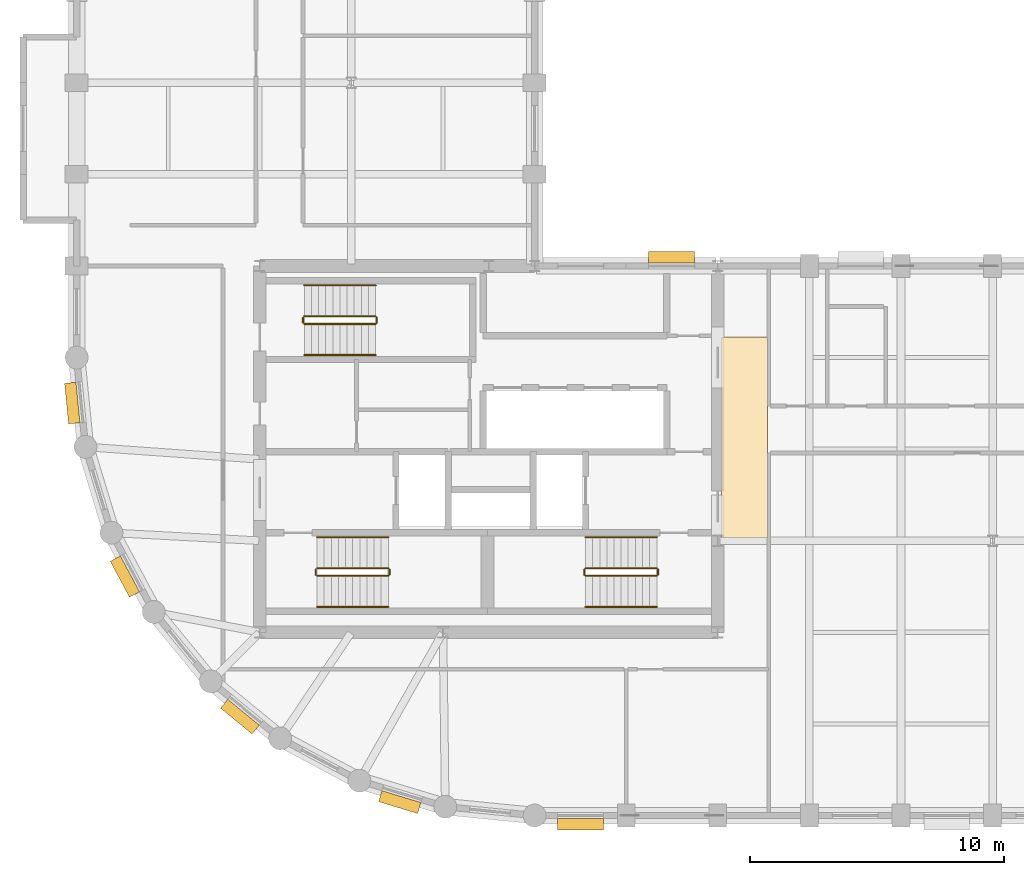
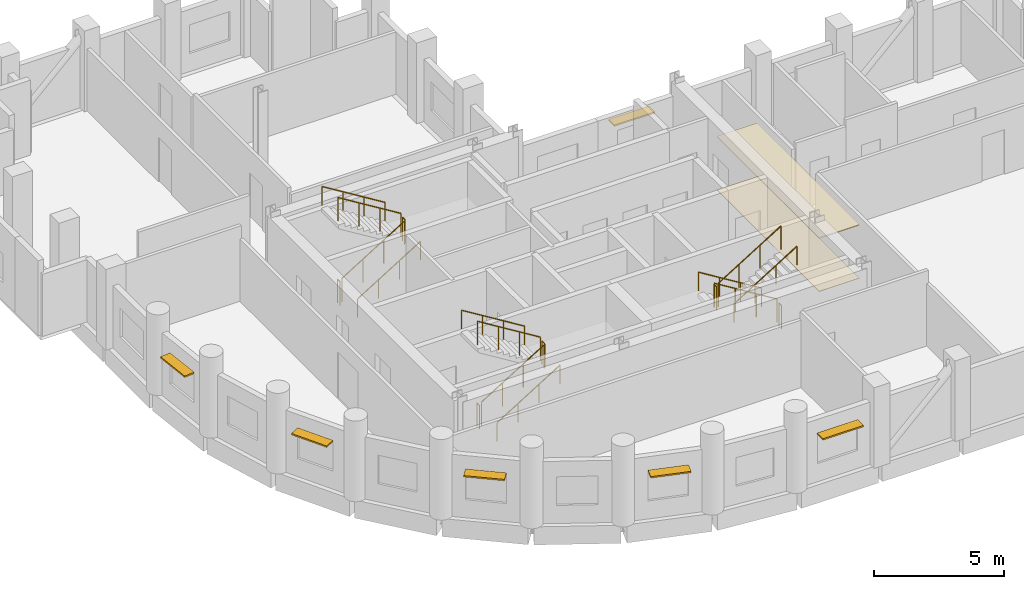
# One storey, part 7 of 8: 18 railings, 6 shading devices, 2 coverings.
"""IFC4 building model written with IfcOpenShell, lengths in metres."""

from ifc_helpers import new_model, si_unit, direction, frame, origin, origin_2d, place, context, subcontext, project, spatial, polyline, rectangle, circle, outline, extrude, material, layer, layer_set, type_object, element, save


model = new_model("IFC4")

# Units and contexts
model_context = context("Model", 3, precision=1e-05, world=origin(), true_north=direction((0.0, 1.0)))
body_context = subcontext(model_context, "Body", "Model", "MODEL_VIEW")
ifc_project = project(units=[si_unit("LENGTHUNIT", "METRE"), si_unit("AREAUNIT", "SQUARE_METRE"), si_unit("VOLUMEUNIT", "CUBIC_METRE"), si_unit("PLANEANGLEUNIT", "RADIAN"), si_unit("MASSUNIT", "GRAM", prefix="KILO")], contexts=[model_context])

# Site, building, storey
site_placement = place(None, origin())
site = spatial("IfcSite", under=ifc_project, at=site_placement, CompositionType="ELEMENT")
building_placement = place(site_placement, origin())
building = spatial("IfcBuilding", under=site, at=building_placement, Name="Solnavia Interchange Tower", CompositionType="ELEMENT")
storey_placement = place(building_placement, frame((0.0, 0.0, 190.0)))
storey = spatial("IfcBuildingStorey", under=building, at=storey_placement, Name="L47", CompositionType="ELEMENT", Elevation=190.0)

# Coverings
ifc_material_1 = material(Name="Perforated Mineral-Fibre & Gypsum Ceiling", Category="gypsum")
ifc_layer_1 = layer(ifc_material_1, 0.0400390625)
ifc_layer_set_1 = layer_set([ifc_layer_1], Name="Perforated Mineral-Fibre & Gypsum Ceiling")
covering_type_1 = type_object("IfcCoveringType", Name="Covering-Ceiling-Acoustic40", PredefinedType="CEILING", material=ifc_layer_set_1)
covering_1_placement = place(storey_placement, frame((0.0, 0.0, 2.5)))
element("IfcCovering", 1, at=covering_1_placement, inside=storey, type_object=covering_type_1, Name="CLG-L47-01 Circulation suspended acoustic ceiling", PredefinedType="CEILING", context=body_context, shape_type="SweptSolid", body=[
    extrude(outline(polyline([(32.550048828125, 14.5), (34.35009765625, 14.5), (34.35009765625, 22.39990234375), (32.550048828125, 22.39990234375), (32.550048828125, 14.5)])), origin(), (0.0, 0.0, 1.0), 0.0400390625),
])
ifc_material_2 = material(Name="Engineered European Oak Flooring", Category="wood")
ifc_layer_2 = layer(ifc_material_2, 0.02001953125)
ifc_layer_set_2 = layer_set([ifc_layer_2], Name="Engineered European Oak Flooring")
covering_type_2 = type_object("IfcCoveringType", Name="Covering-Flooring-Timber20", PredefinedType="FLOORING", material=ifc_layer_set_2)
covering_2_placement = place(storey_placement, origin())
element("IfcCovering", 2, at=covering_2_placement, inside=storey, type_object=covering_type_2, Name="FLR-L47-01 Circulation floor finish", PredefinedType="FLOORING", context=body_context, shape_type="SweptSolid", body=[
    extrude(outline(polyline([(32.550048828125, 14.5), (34.35009765625, 14.5), (34.35009765625, 22.39990234375), (32.550048828125, 22.39990234375), (32.550048828125, 14.5)])), origin(), (0.0, 0.0, 1.0), 0.02001953125),
])

# Railings
ifc_material_3 = material(Name="Painted Steel Balustrade", Category="steel")
railing_type_1 = type_object("IfcRailingType", Name="Railing-StairGuard-1100", PredefinedType="GUARDRAIL", material=ifc_material_3)
railing_1_placement = place(storey_placement, frame((16.64990234375, 13.02001953125, 0.172607421875)))
element("IfcRailing", 3, at=railing_1_placement, inside=storey, type_object=railing_type_1, Name="L47 ST-1 stair guard 1", PredefinedType="GUARDRAIL", context=body_context, shape_type="SweptSolid", body=[
    extrude(circle(Radius=0.02392578125, at=origin_2d()), frame((0.0, 0.0, 1.09619140625), z_axis=(0.851089632645, 0.0, 0.525020415988), x_axis=(0.0, 1.0, 0.0)), (0.0, 0.0, 1.0), 3.2900390625),
    extrude(circle(Radius=0.02099609375, at=origin_2d()), origin(), (0.0, 0.0, 1.0), 1.072021484375),
    extrude(circle(Radius=0.02099609375, at=origin_2d()), frame((0.933349609375, 0.0, 0.57568359375)), (0.0, 0.0, 1.0), 1.072021484375),
    extrude(circle(Radius=0.02099609375, at=origin_2d()), frame((1.86669921875, 0.0, 1.151611328125)), (0.0, 0.0, 1.0), 1.072021484375),
    extrude(circle(Radius=0.02099609375, at=origin_2d()), frame((2.800048828125, 0.0, 1.727294921875)), (0.0, 0.0, 1.0), 1.072021484375),
])
railing_2_placement = place(storey_placement, frame((19.5, 13.070068359375, 1.89990234375)))
element("IfcRailing", 4, at=railing_2_placement, inside=storey, type_object=railing_type_1, Name="L47 ST-1 stair guard 2", PredefinedType="GUARDRAIL", context=body_context, shape_type="SweptSolid", body=[
    extrude(circle(Radius=0.02392578125, at=origin_2d()), frame((0.0, 0.0, 1.09619140625), z_axis=(0.0, 1.0, 0.0), x_axis=(-1.0, 0.0, 0.0)), (0.0, 0.0, 1.0), 0.199951171875),
    extrude(circle(Radius=0.02099609375, at=origin_2d()), origin(), (0.0, 0.0, 1.0), 1.072021484375),
    extrude(circle(Radius=0.02099609375, at=origin_2d()), frame((0.0, 0.199951171875, 0.0)), (0.0, 0.0, 1.0), 1.072021484375),
])
railing_3_placement = place(storey_placement, frame((19.449951171875, 13.320068359375, 2.07275390625)))
element("IfcRailing", 5, at=railing_3_placement, inside=storey, type_object=railing_type_1, Name="L47 ST-1 stair guard 3", PredefinedType="GUARDRAIL", context=body_context, shape_type="SweptSolid", body=[
    extrude(circle(Radius=0.02392578125, at=origin_2d()), frame((0.0, 0.0, 1.09619140625), z_axis=(-0.851089632645, 0.0, 0.525020415988), x_axis=(0.0, -1.0, 0.0)), (0.0, 0.0, 1.0), 3.2900390625),
    extrude(circle(Radius=0.02099609375, at=origin_2d()), origin(), (0.0, 0.0, 1.0), 1.072021484375),
    extrude(circle(Radius=0.02099609375, at=origin_2d()), frame((-0.933349609375, 0.0, 0.57568359375)), (0.0, 0.0, 1.0), 1.072021484375),
    extrude(circle(Radius=0.02099609375, at=origin_2d()), frame((-1.86669921875, 0.0, 1.151611328125)), (0.0, 0.0, 1.0), 1.072021484375),
    extrude(circle(Radius=0.02099609375, at=origin_2d()), frame((-2.800048828125, 0.0, 1.727294921875)), (0.0, 0.0, 1.0), 1.072021484375),
])
railing_4_placement = place(storey_placement, frame((16.60009765625, 13.070068359375, 0.0)))
element("IfcRailing", 6, at=railing_4_placement, inside=storey, type_object=railing_type_1, Name="L47 ST-1 stair guard 4", PredefinedType="GUARDRAIL", context=body_context, shape_type="SweptSolid", body=[
    extrude(circle(Radius=0.02392578125, at=origin_2d()), frame((0.0, 0.0, 1.09619140625), z_axis=(0.0, 1.0, 0.0), x_axis=(-1.0, 0.0, 0.0)), (0.0, 0.0, 1.0), 0.199951171875),
    extrude(circle(Radius=0.02099609375, at=origin_2d()), origin(), (0.0, 0.0, 1.0), 1.072021484375),
    extrude(circle(Radius=0.02099609375, at=origin_2d()), frame((0.0, 0.199951171875, 0.0)), (0.0, 0.0, 1.0), 1.072021484375),
])
railing_5_placement = place(storey_placement, frame((30.0, 13.320068359375, 0.172607421875)))
element("IfcRailing", 7, at=railing_5_placement, inside=storey, type_object=railing_type_1, Name="L47 ST-2 stair guard 1", PredefinedType="GUARDRAIL", context=body_context, shape_type="SweptSolid", body=[
    extrude(circle(Radius=0.02392578125, at=origin_2d()), frame((0.0, 0.0, 1.09619140625), z_axis=(-0.851089632645, 0.0, 0.525020415988), x_axis=(0.0, -1.0, 0.0)), (0.0, 0.0, 1.0), 3.2900390625),
    extrude(circle(Radius=0.02099609375, at=origin_2d()), origin(), (0.0, 0.0, 1.0), 1.072021484375),
    extrude(circle(Radius=0.02099609375, at=origin_2d()), frame((-0.933349609375, 0.0, 0.57568359375)), (0.0, 0.0, 1.0), 1.072021484375),
    extrude(circle(Radius=0.02099609375, at=origin_2d()), frame((-1.86669921875, 0.0, 1.151611328125)), (0.0, 0.0, 1.0), 1.072021484375),
    extrude(circle(Radius=0.02099609375, at=origin_2d()), frame((-2.800048828125, 0.0, 1.727294921875)), (0.0, 0.0, 1.0), 1.072021484375),
])
railing_6_placement = place(storey_placement, frame((27.14990234375, 13.27001953125, 1.89990234375)))
element("IfcRailing", 8, at=railing_6_placement, inside=storey, type_object=railing_type_1, Name="L47 ST-2 stair guard 2", PredefinedType="GUARDRAIL", context=body_context, shape_type="SweptSolid", body=[
    extrude(circle(Radius=0.02392578125, at=origin_2d()), frame((0.0, 0.0, 1.09619140625), z_axis=(0.0, -1.0, 0.0), x_axis=(1.0, 0.0, 0.0)), (0.0, 0.0, 1.0), 0.199951171875),
    extrude(circle(Radius=0.02099609375, at=origin_2d()), origin(), (0.0, 0.0, 1.0), 1.072021484375),
    extrude(circle(Radius=0.02099609375, at=origin_2d()), frame((0.0, -0.199951171875, 0.0)), (0.0, 0.0, 1.0), 1.072021484375),
])
railing_7_placement = place(storey_placement, frame((27.199951171875, 13.02001953125, 2.07275390625)))
element("IfcRailing", 9, at=railing_7_placement, inside=storey, type_object=railing_type_1, Name="L47 ST-2 stair guard 3", PredefinedType="GUARDRAIL", context=body_context, shape_type="SweptSolid", body=[
    extrude(circle(Radius=0.02392578125, at=origin_2d()), frame((0.0, 0.0, 1.09619140625), z_axis=(0.851089632645, 0.0, 0.525020415988), x_axis=(0.0, 1.0, 0.0)), (0.0, 0.0, 1.0), 3.2900390625),
    extrude(circle(Radius=0.02099609375, at=origin_2d()), origin(), (0.0, 0.0, 1.0), 1.072021484375),
    extrude(circle(Radius=0.02099609375, at=origin_2d()), frame((0.933349609375, 0.0, 0.57568359375)), (0.0, 0.0, 1.0), 1.072021484375),
    extrude(circle(Radius=0.02099609375, at=origin_2d()), frame((1.86669921875, 0.0, 1.151611328125)), (0.0, 0.0, 1.0), 1.072021484375),
    extrude(circle(Radius=0.02099609375, at=origin_2d()), frame((2.800048828125, 0.0, 1.727294921875)), (0.0, 0.0, 1.0), 1.072021484375),
])
railing_8_placement = place(storey_placement, frame((30.050048828125, 13.27001953125, 0.0)))
element("IfcRailing", 10, at=railing_8_placement, inside=storey, type_object=railing_type_1, Name="L47 ST-2 stair guard 4", PredefinedType="GUARDRAIL", context=body_context, shape_type="SweptSolid", body=[
    extrude(circle(Radius=0.02392578125, at=origin_2d()), frame((0.0, 0.0, 1.09619140625), z_axis=(0.0, -1.0, 0.0), x_axis=(1.0, 0.0, 0.0)), (0.0, 0.0, 1.0), 0.199951171875),
    extrude(circle(Radius=0.02099609375, at=origin_2d()), origin(), (0.0, 0.0, 1.0), 1.072021484375),
    extrude(circle(Radius=0.02099609375, at=origin_2d()), frame((0.0, -0.199951171875, 0.0)), (0.0, 0.0, 1.0), 1.072021484375),
])
railing_9_placement = place(storey_placement, frame((16.14990234375, 22.919921875, 0.172607421875)))
element("IfcRailing", 11, at=railing_9_placement, inside=storey, type_object=railing_type_1, Name="L47 ST-3 stair guard 1", PredefinedType="GUARDRAIL", context=body_context, shape_type="SweptSolid", body=[
    extrude(circle(Radius=0.02392578125, at=origin_2d()), frame((0.0, 0.0, 1.09619140625), z_axis=(0.851089632645, 0.0, 0.525020415988), x_axis=(0.0, 1.0, 0.0)), (0.0, 0.0, 1.0), 3.2900390625),
    extrude(circle(Radius=0.02099609375, at=origin_2d()), origin(), (0.0, 0.0, 1.0), 1.072021484375),
    extrude(circle(Radius=0.02099609375, at=origin_2d()), frame((0.933349609375, 0.0, 0.57568359375)), (0.0, 0.0, 1.0), 1.072021484375),
    extrude(circle(Radius=0.02099609375, at=origin_2d()), frame((1.86669921875, 0.0, 1.151611328125)), (0.0, 0.0, 1.0), 1.072021484375),
    extrude(circle(Radius=0.02099609375, at=origin_2d()), frame((2.800048828125, 0.0, 1.727294921875)), (0.0, 0.0, 1.0), 1.072021484375),
])
railing_10_placement = place(storey_placement, frame((19.0, 22.969970703125, 1.89990234375)))
element("IfcRailing", 12, at=railing_10_placement, inside=storey, type_object=railing_type_1, Name="L47 ST-3 stair guard 2", PredefinedType="GUARDRAIL", context=body_context, shape_type="SweptSolid", body=[
    extrude(circle(Radius=0.02392578125, at=origin_2d()), frame((0.0, 0.0, 1.09619140625), z_axis=(0.0, 1.0, 0.0), x_axis=(-1.0, 0.0, 0.0)), (0.0, 0.0, 1.0), 0.199951171875),
    extrude(circle(Radius=0.02099609375, at=origin_2d()), origin(), (0.0, 0.0, 1.0), 1.072021484375),
    extrude(circle(Radius=0.02099609375, at=origin_2d()), frame((0.0, 0.199951171875, 0.0)), (0.0, 0.0, 1.0), 1.072021484375),
])
railing_11_placement = place(storey_placement, frame((18.949951171875, 23.219970703125, 2.07275390625)))
element("IfcRailing", 13, at=railing_11_placement, inside=storey, type_object=railing_type_1, Name="L47 ST-3 stair guard 3", PredefinedType="GUARDRAIL", context=body_context, shape_type="SweptSolid", body=[
    extrude(circle(Radius=0.02392578125, at=origin_2d()), frame((0.0, 0.0, 1.09619140625), z_axis=(-0.851089632645, 0.0, 0.525020415988), x_axis=(0.0, -1.0, 0.0)), (0.0, 0.0, 1.0), 3.2900390625),
    extrude(circle(Radius=0.02099609375, at=origin_2d()), origin(), (0.0, 0.0, 1.0), 1.072021484375),
    extrude(circle(Radius=0.02099609375, at=origin_2d()), frame((-0.933349609375, 0.0, 0.57568359375)), (0.0, 0.0, 1.0), 1.072021484375),
    extrude(circle(Radius=0.02099609375, at=origin_2d()), frame((-1.86669921875, 0.0, 1.151611328125)), (0.0, 0.0, 1.0), 1.072021484375),
    extrude(circle(Radius=0.02099609375, at=origin_2d()), frame((-2.800048828125, 0.0, 1.727294921875)), (0.0, 0.0, 1.0), 1.072021484375),
])
railing_12_placement = place(storey_placement, frame((16.10009765625, 22.969970703125, 0.0)))
element("IfcRailing", 14, at=railing_12_placement, inside=storey, type_object=railing_type_1, Name="L47 ST-3 stair guard 4", PredefinedType="GUARDRAIL", context=body_context, shape_type="SweptSolid", body=[
    extrude(circle(Radius=0.02392578125, at=origin_2d()), frame((0.0, 0.0, 1.09619140625), z_axis=(0.0, 1.0, 0.0), x_axis=(-1.0, 0.0, 0.0)), (0.0, 0.0, 1.0), 0.199951171875),
    extrude(circle(Radius=0.02099609375, at=origin_2d()), origin(), (0.0, 0.0, 1.0), 1.072021484375),
    extrude(circle(Radius=0.02099609375, at=origin_2d()), frame((0.0, 0.199951171875, 0.0)), (0.0, 0.0, 1.0), 1.072021484375),
])
ifc_material_4 = material(Name="Brushed Stainless Steel", Category="steel")
railing_type_2 = type_object("IfcRailingType", Name="Railing-StairHandrail-900", PredefinedType="HANDRAIL", material=ifc_material_4)
railing_13_placement = place(storey_placement, frame((16.64990234375, 11.800048828125, 0.172607421875)))
element("IfcRailing", 15, at=railing_13_placement, inside=storey, type_object=railing_type_2, Name="L47 ST-1 stair handrail 1", PredefinedType="HANDRAIL", context=body_context, shape_type="SweptSolid", body=[
    extrude(circle(Radius=0.02392578125, at=origin_2d()), frame((0.0, 0.0, 0.8759765625), z_axis=(0.851089632645, 0.0, 0.525020415988), x_axis=(0.0, 1.0, 0.0)), (0.0, 0.0, 1.0), 3.2900390625),
    extrude(circle(Radius=0.02099609375, at=origin_2d()), origin(), (0.0, 0.0, 1.0), 0.851806640625),
    extrude(circle(Radius=0.02099609375, at=origin_2d()), frame((0.933349609375, 0.0, 0.57568359375)), (0.0, 0.0, 1.0), 0.851806640625),
    extrude(circle(Radius=0.02099609375, at=origin_2d()), frame((1.86669921875, 0.0, 1.151611328125)), (0.0, 0.0, 1.0), 0.851806640625),
    extrude(circle(Radius=0.02099609375, at=origin_2d()), frame((2.800048828125, 0.0, 1.727294921875)), (0.0, 0.0, 1.0), 0.851806640625),
])
for number, where, name in (
    (16, (19.449951171875, 14.5400390625, 2.07275390625), "L47 ST-1 stair handrail 2"),
    (17, (30.0, 14.5400390625, 0.172607421875), "L47 ST-2 stair handrail 1"),
):
    element("IfcRailing", number, at=place(storey_placement, frame(where)), inside=storey, type_object=railing_type_2, Name=name, PredefinedType="HANDRAIL", context=body_context, shape_type="SweptSolid", body=[
        extrude(circle(Radius=0.02392578125, at=origin_2d()), frame((0.0, 0.0, 0.8759765625), z_axis=(-0.851089632645, 0.0, 0.525020415988), x_axis=(0.0, -1.0, 0.0)), (0.0, 0.0, 1.0), 3.2900390625),
        extrude(circle(Radius=0.02099609375, at=origin_2d()), origin(), (0.0, 0.0, 1.0), 0.851806640625),
        extrude(circle(Radius=0.02099609375, at=origin_2d()), frame((-0.933349609375, 0.0, 0.57568359375)), (0.0, 0.0, 1.0), 0.851806640625),
        extrude(circle(Radius=0.02099609375, at=origin_2d()), frame((-1.86669921875, 0.0, 1.151611328125)), (0.0, 0.0, 1.0), 0.851806640625),
        extrude(circle(Radius=0.02099609375, at=origin_2d()), frame((-2.800048828125, 0.0, 1.727294921875)), (0.0, 0.0, 1.0), 0.851806640625),
    ])
for number, where, name in (
    (18, (27.199951171875, 11.800048828125, 2.07275390625), "L47 ST-2 stair handrail 2"),
    (19, (16.14990234375, 21.699951171875, 0.172607421875), "L47 ST-3 stair handrail 1"),
):
    element("IfcRailing", number, at=place(storey_placement, frame(where)), inside=storey, type_object=railing_type_2, Name=name, PredefinedType="HANDRAIL", context=body_context, shape_type="SweptSolid", body=[
        extrude(circle(Radius=0.02392578125, at=origin_2d()), frame((0.0, 0.0, 0.8759765625), z_axis=(0.851089632645, 0.0, 0.525020415988), x_axis=(0.0, 1.0, 0.0)), (0.0, 0.0, 1.0), 3.2900390625),
        extrude(circle(Radius=0.02099609375, at=origin_2d()), origin(), (0.0, 0.0, 1.0), 0.851806640625),
        extrude(circle(Radius=0.02099609375, at=origin_2d()), frame((0.933349609375, 0.0, 0.57568359375)), (0.0, 0.0, 1.0), 0.851806640625),
        extrude(circle(Radius=0.02099609375, at=origin_2d()), frame((1.86669921875, 0.0, 1.151611328125)), (0.0, 0.0, 1.0), 0.851806640625),
        extrude(circle(Radius=0.02099609375, at=origin_2d()), frame((2.800048828125, 0.0, 1.727294921875)), (0.0, 0.0, 1.0), 0.851806640625),
    ])
railing_14_placement = place(storey_placement, frame((18.949951171875, 24.43994140625, 2.07275390625)))
element("IfcRailing", 20, at=railing_14_placement, inside=storey, type_object=railing_type_2, Name="L47 ST-3 stair handrail 2", PredefinedType="HANDRAIL", context=body_context, shape_type="SweptSolid", body=[
    extrude(circle(Radius=0.02392578125, at=origin_2d()), frame((0.0, 0.0, 0.8759765625), z_axis=(-0.851089632645, 0.0, 0.525020415988), x_axis=(0.0, -1.0, 0.0)), (0.0, 0.0, 1.0), 3.2900390625),
    extrude(circle(Radius=0.02099609375, at=origin_2d()), origin(), (0.0, 0.0, 1.0), 0.851806640625),
    extrude(circle(Radius=0.02099609375, at=origin_2d()), frame((-0.933349609375, 0.0, 0.57568359375)), (0.0, 0.0, 1.0), 0.851806640625),
    extrude(circle(Radius=0.02099609375, at=origin_2d()), frame((-1.86669921875, 0.0, 1.151611328125)), (0.0, 0.0, 1.0), 0.851806640625),
    extrude(circle(Radius=0.02099609375, at=origin_2d()), frame((-2.800048828125, 0.0, 1.727294921875)), (0.0, 0.0, 1.0), 0.851806640625),
])

# Shading devices
ifc_material_5 = material(Name="Anodised Aluminium Sunshade", Category="aluminium")
ifc_layer_3 = layer(ifc_material_5, 0.070068359375)
ifc_layer_set_3 = layer_set([ifc_layer_3], Name="Anodised Aluminium Sunshade")
shading_device_type = type_object("IfcShadingDeviceType", Name="Sunshade-Band-450", PredefinedType="JALOUSIE", material=ifc_layer_set_3)
for number, where, z_axis, x_axis, name in (
    (21, (27.0, 3.2548828125, 2.22509765625), (0.0, 0.0, 1.0), (-1.0, 0.0, 0.0), "SHD-L47-01 Horizontal sunshade band"),
    (22, (30.583984375, 25.544921875, 2.22509765625), (0.0, 0.0, 1.0), (1.0, 0.0, 0.0), "SHD-L47-23 Horizontal sunshade band"),
):
    element("IfcShadingDevice", number, at=place(storey_placement, frame(where, z_axis=z_axis, x_axis=x_axis)), inside=storey, type_object=shading_device_type, Name=name, PredefinedType="JALOUSIE", context=body_context, shape_type="SweptSolid", body=[
        extrude(rectangle(XDim=1.800048828125, YDim=0.449951171875, at=origin_2d()), origin(), (0.0, 0.0, 1.0), 0.070068359375),
    ])
for number, where, z_axis, x_axis, name in (
    (23, (7.029541015625, 19.810791015625, 2.22509765625), (0.0, 0.0, 1.0), (-0.098103986207, 0.995176169274, 0.0), "SHD-L47-47 Horizontal sunshade band"),
    (24, (9.097900390625, 12.992919921875, 2.22509765625), (0.0, 0.0, 1.0), (-0.47147369718, 0.881880123865, 0.0), "SHD-L47-49 Horizontal sunshade band"),
    (25, (13.617431640625, 7.486083984375, 2.22509765625), (0.0, 0.0, 1.0), (-0.773176510644, 0.634190888762, 0.0), "SHD-L47-51 Horizontal sunshade band"),
    (26, (19.89990234375, 4.1279296875, 2.22509765625), (0.0, 0.0, 1.0), (-0.956965664205, 0.290201167351, 0.0), "SHD-L47-53 Horizontal sunshade band"),
):
    element("IfcShadingDevice", number, at=place(storey_placement, frame(where, z_axis=z_axis, x_axis=x_axis)), inside=storey, type_object=shading_device_type, Name=name, PredefinedType="JALOUSIE", context=body_context, shape_type="SweptSolid", body=[
        extrude(rectangle(XDim=1.60009765625, YDim=0.449951171875, at=origin_2d()), origin(), (0.0, 0.0, 1.0), 0.070068359375),
    ])

save(model, "model.ifc")
